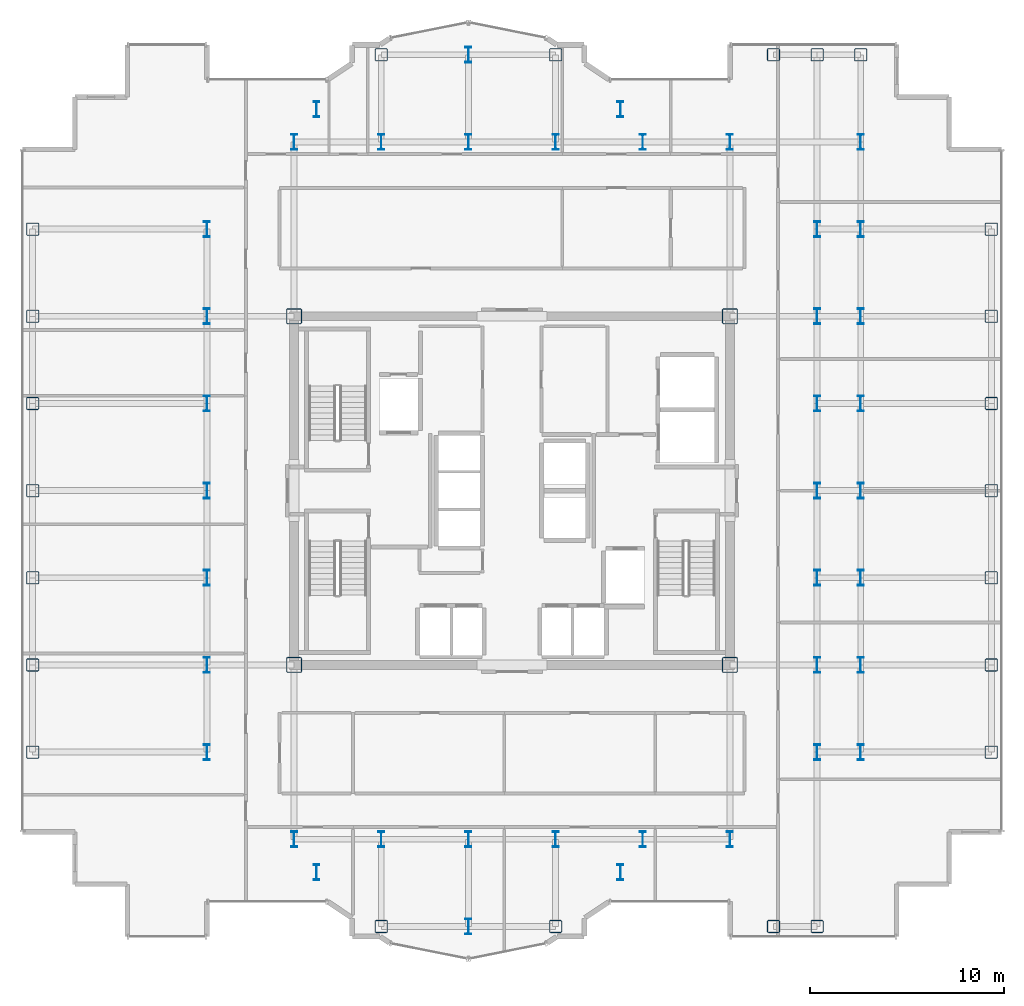
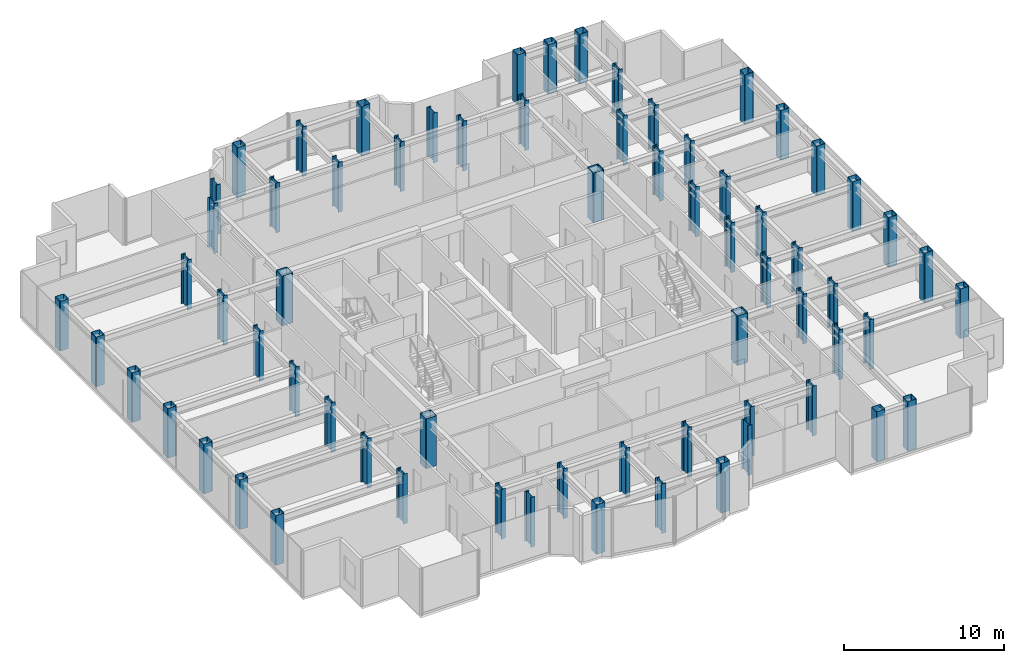
# One storey, part 1 of 20: 67 columns.
"""IFC4 building model written with IfcOpenShell, lengths in metres."""

from ifc_helpers import new_model, si_unit, direction, frame, origin, origin_2d, place, context, subcontext, project, spatial, hollow_rectangle, i_section, extrude, source, transform, mapped, material, material_profile, profile_set, type_object, element, save


model = new_model("IFC4")

# Units and contexts
model_context = context("Model", 3, precision=1e-05, world=origin(), true_north=direction((0.0, 1.0)))
body_context = subcontext(model_context, "Body", "Model", "MODEL_VIEW")
ifc_project = project(units=[si_unit("LENGTHUNIT", "METRE"), si_unit("AREAUNIT", "SQUARE_METRE"), si_unit("VOLUMEUNIT", "CUBIC_METRE"), si_unit("PLANEANGLEUNIT", "RADIAN"), si_unit("MASSUNIT", "GRAM", prefix="KILO")], contexts=[model_context])

# Site, building, storey
site_placement = place(None, origin())
site = spatial("IfcSite", under=ifc_project, at=site_placement, CompositionType="ELEMENT")
building_placement = place(site_placement, origin())
building = spatial("IfcBuilding", under=site, at=building_placement, Name="Nefas-Gora Pilgrimage Tower", CompositionType="ELEMENT")
storey_placement = place(building_placement, frame((0.0, 0.0, 214.199951171875)))
storey = spatial("IfcBuildingStorey", under=building, at=storey_placement, Name="L53", CompositionType="ELEMENT", Elevation=214.199951171875)

# Columns
ifc_material = material(Name="Steel S460", Category="steel")
ifc_material_profile_1 = material_profile(ifc_material, i_section(OverallWidth=0.302978515625, OverallDepth=0.81396484375, WebThickness=0.02099609375, FlangeThickness=0.0400390625, FilletRadius=0.030029296875, at=origin_2d()), Name="HEM 800")
ifc_profile_set_1 = profile_set([ifc_material_profile_1], Name="Steel S460")
column_type_1 = type_object("IfcColumnType", Name="COL-WEB-HEM800", PredefinedType="COLUMN", material=ifc_profile_set_1)
shared_shape_1 = source(origin(), body_context, "Body", "SweptSolid", [
    extrude(i_section(OverallWidth=0.302978515625, OverallDepth=0.81396484375, WebThickness=0.02099609375, FlangeThickness=0.0400390625, FilletRadius=0.030029296875, at=origin_2d()), origin(), (0.0, 0.0, 1.0), 3.800048828125),
])
for number, where, z_axis, x_axis, name in (
    (1, (-15.75, -13.5, 0.0), (0.0, 0.0, 1.0), (1.0, 0.0, 0.0), "L53 Tower Column CW-02.8"),
    (2, (-15.75, -9.0, 0.0), (0.0, 0.0, 1.0), (1.0, 0.0, 0.0), "L53 Tower Column CW-02.9"),
    (3, (-15.75, -4.5, 0.0), (0.0, 0.0, 1.0), (1.0, 0.0, 0.0), "L53 Tower Column CW-02.10"),
    (4, (-15.75, 0.0, 0.0), (0.0, 0.0, 1.0), (1.0, 0.0, 0.0), "L53 Tower Column CW-02.11"),
    (5, (-15.75, 4.5, 0.0), (0.0, 0.0, 1.0), (1.0, 0.0, 0.0), "L53 Tower Column CW-02.12"),
    (6, (-15.75, 9.0, 0.0), (0.0, 0.0, 1.0), (1.0, 0.0, 0.0), "L53 Tower Column CW-02.13"),
    (7, (-15.75, 13.5, 0.0), (0.0, 0.0, 1.0), (1.0, 0.0, 0.0), "L53 Tower Column CW-02.14"),
    (8, (-11.25, -18.0, 0.0), (0.0, 0.0, 1.0), (1.0, 0.0, 0.0), "L53 Tower Column CW-02.15"),
    (9, (-11.25, 18.0, 0.0), (0.0, 0.0, 1.0), (1.0, 0.0, 0.0), "L53 Tower Column CW-02.18"),
    (10, (-10.091064453125, -19.696044921875, 0.0), (0.0, 0.0, 1.0), (1.0, 0.0, 0.0), "L53 Tower Column CW-02.19"),
    (11, (-10.091064453125, 19.696044921875, 0.0), (0.0, 0.0, 1.0), (1.0, 0.0, 0.0), "L53 Tower Column CW-02.20"),
    (12, (-6.75, -18.0, 0.0), (0.0, 0.0, 1.0), (1.0, 0.0, 0.0), "L53 Tower Column CW-02.22"),
    (13, (-6.75, 18.0, 0.0), (0.0, 0.0, 1.0), (1.0, 0.0, 0.0), "L53 Tower Column CW-02.23"),
    (14, (-2.25, -22.5, 0.0), (0.0, 0.0, 1.0), (1.0, 0.0, 0.0), "L53 Tower Column CW-02.25"),
    (15, (-2.25, -18.0, 0.0), (0.0, 0.0, 1.0), (1.0, 0.0, 0.0), "L53 Tower Column CW-02.26"),
    (16, (-2.25, 18.0, 0.0), (0.0, 0.0, 1.0), (1.0, 0.0, 0.0), "L53 Tower Column CW-02.27"),
    (17, (-2.25, 22.5, 0.0), (0.0, 0.0, 1.0), (1.0, 0.0, 0.0), "L53 Tower Column CW-02.28"),
    (18, (2.25, -18.0, 0.0), (0.0, 0.0, 1.0), (1.0, 0.0, 0.0), "L53 Tower Column CW-02.30"),
    (19, (2.25, 18.0, 0.0), (0.0, 0.0, 1.0), (1.0, 0.0, 0.0), "L53 Tower Column CW-02.31"),
    (20, (5.591064453125, -19.696044921875, 0.0), (0.0, 0.0, 1.0), (1.0, 0.0, 0.0), "L53 Tower Column CW-02.33"),
    (21, (5.591064453125, 19.696044921875, 0.0), (0.0, 0.0, 1.0), (1.0, 0.0, 0.0), "L53 Tower Column CW-02.34"),
    (22, (6.75, -18.0, 0.0), (0.0, 0.0, 1.0), (1.0, 0.0, 0.0), "L53 Tower Column CW-02.35"),
    (23, (6.75, 18.0, 0.0), (0.0, 0.0, 1.0), (1.0, 0.0, 0.0), "L53 Tower Column CW-02.36"),
    (24, (11.25, -18.0, 0.0), (0.0, 0.0, 1.0), (1.0, 0.0, 0.0), "L53 Tower Column CW-02.37"),
    (25, (11.25, 18.0, 0.0), (0.0, 0.0, 1.0), (1.0, 0.0, 0.0), "L53 Tower Column CW-02.40"),
    (26, (15.75, -13.5, 0.0), (0.0, 0.0, 1.0), (1.0, 0.0, 0.0), "L53 Tower Column CW-02.44"),
    (27, (15.75, -9.0, 0.0), (0.0, 0.0, 1.0), (1.0, 0.0, 0.0), "L53 Tower Column CW-02.45"),
    (28, (15.75, -4.5, 0.0), (0.0, 0.0, 1.0), (1.0, 0.0, 0.0), "L53 Tower Column CW-02.46"),
    (29, (15.75, 0.0, 0.0), (0.0, 0.0, 1.0), (1.0, 0.0, 0.0), "L53 Tower Column CW-02.47"),
    (30, (15.75, 4.5, 0.0), (0.0, 0.0, 1.0), (1.0, 0.0, 0.0), "L53 Tower Column CW-02.48"),
    (31, (15.75, 9.0, 0.0), (0.0, 0.0, 1.0), (1.0, 0.0, 0.0), "L53 Tower Column CW-02.49"),
    (32, (15.75, 13.5, 0.0), (0.0, 0.0, 1.0), (1.0, 0.0, 0.0), "L53 Tower Column CW-02.50"),
    (33, (18.0, -13.5, 0.0), (0.0, 0.0, 1.0), (1.0, 0.0, 0.0), "L53 Tower Column CW-02.52"),
    (34, (18.0, -9.0, 0.0), (0.0, 0.0, 1.0), (1.0, 0.0, 0.0), "L53 Tower Column CW-02.53"),
    (35, (18.0, -4.5, 0.0), (0.0, 0.0, 1.0), (1.0, 0.0, 0.0), "L53 Tower Column CW-02.54"),
    (36, (18.0, 0.0, 0.0), (0.0, 0.0, 1.0), (1.0, 0.0, 0.0), "L53 Tower Column CW-02.55"),
    (37, (18.0, 4.5, 0.0), (0.0, 0.0, 1.0), (1.0, 0.0, 0.0), "L53 Tower Column CW-02.56"),
    (38, (18.0, 9.0, 0.0), (0.0, 0.0, 1.0), (1.0, 0.0, 0.0), "L53 Tower Column CW-02.57"),
    (39, (18.0, 13.5, 0.0), (0.0, 0.0, 1.0), (1.0, 0.0, 0.0), "L53 Tower Column CW-02.58"),
    (40, (18.0, 18.0, 0.0), (0.0, 0.0, 1.0), (1.0, 0.0, 0.0), "L53 Tower Column CW-02.59"),
):
    element("IfcColumn", number, at=place(storey_placement, frame(where, z_axis=z_axis, x_axis=x_axis)), inside=storey, type_object=column_type_1, Name=name, PredefinedType="COLUMN", context=body_context, shape_type="MappedRepresentation", body=[
        mapped(shared_shape_1, transform((0.0, 0.0, 0.0), x_axis=(1.0, 0.0, 0.0), y_axis=(0.0, 1.0, 0.0), z_axis=(0.0, 0.0, 1.0), scale=1.0)),
    ])
ifc_material_profile_2 = material_profile(ifc_material, hollow_rectangle(XDim=0.800048828125, YDim=0.800048828125, WallThickness=0.0400390625, InnerFilletRadius=0.0400390625, OuterFilletRadius=0.080078125, at=origin_2d()), Name="BOX 800x800x40")
ifc_profile_set_2 = profile_set([ifc_material_profile_2], Name="Steel S460")
column_type_2 = type_object("IfcColumnType", Name="COL-CORE-800", PredefinedType="COLUMN", material=ifc_profile_set_2)
shared_shape_2 = source(origin(), body_context, "Body", "SweptSolid", [
    extrude(hollow_rectangle(XDim=0.800048828125, YDim=0.800048828125, WallThickness=0.0400390625, InnerFilletRadius=0.0400390625, OuterFilletRadius=0.080078125, at=origin_2d()), origin(), (0.0, 0.0, 1.0), 3.800048828125),
])
for number, where, z_axis, x_axis, name in (
    (41, (-11.25, -9.0, 0.0), (0.0, 0.0, 1.0), (1.0, 0.0, 0.0), "L53 Tower Column CC-Z2.16"),
    (42, (-11.25, 9.0, 0.0), (0.0, 0.0, 1.0), (1.0, 0.0, 0.0), "L53 Tower Column CC-Z2.17"),
    (43, (11.25, -9.0, 0.0), (0.0, 0.0, 1.0), (1.0, 0.0, 0.0), "L53 Tower Column CC-Z2.38"),
    (44, (11.25, 9.0, 0.0), (0.0, 0.0, 1.0), (1.0, 0.0, 0.0), "L53 Tower Column CC-Z2.39"),
):
    element("IfcColumn", number, at=place(storey_placement, frame(where, z_axis=z_axis, x_axis=x_axis)), inside=storey, type_object=column_type_2, Name=name, PredefinedType="COLUMN", context=body_context, shape_type="MappedRepresentation", body=[
        mapped(shared_shape_2, transform((0.0, 0.0, 0.0), x_axis=(1.0, 0.0, 0.0), y_axis=(0.0, 1.0, 0.0), z_axis=(0.0, 0.0, 1.0), scale=1.0)),
    ])
ifc_material_profile_3 = material_profile(ifc_material, hollow_rectangle(XDim=0.64990234375, YDim=0.64990234375, WallThickness=0.031982421875, InnerFilletRadius=0.031982421875, OuterFilletRadius=0.06396484375, at=origin_2d()), Name="BOX 650x650x32")
ifc_profile_set_3 = profile_set([ifc_material_profile_3], Name="Steel S460")
column_type_3 = type_object("IfcColumnType", Name="COL-TUBE-650", PredefinedType="COLUMN", material=ifc_profile_set_3)
shared_shape_3 = source(origin(), body_context, "Body", "SweptSolid", [
    extrude(hollow_rectangle(XDim=0.64990234375, YDim=0.64990234375, WallThickness=0.031982421875, InnerFilletRadius=0.031982421875, OuterFilletRadius=0.06396484375, at=origin_2d()), origin(), (0.0, 0.0, 1.0), 3.800048828125),
])
for number, where, z_axis, x_axis, name in (
    (45, (-24.75, -13.5, 0.0), (0.0, 0.0, 1.0), (1.0, 0.0, 0.0), "L53 Tower Column C-Z3.1"),
    (46, (-24.75, -9.0, 0.0), (0.0, 0.0, 1.0), (1.0, 0.0, 0.0), "L53 Tower Column C-Z3.2"),
    (47, (-24.75, -4.5, 0.0), (0.0, 0.0, 1.0), (1.0, 0.0, 0.0), "L53 Tower Column C-Z3.3"),
    (48, (-24.75, 0.0, 0.0), (0.0, 0.0, 1.0), (1.0, 0.0, 0.0), "L53 Tower Column C-Z3.4"),
    (49, (-24.75, 4.5, 0.0), (0.0, 0.0, 1.0), (1.0, 0.0, 0.0), "L53 Tower Column C-Z3.5"),
    (50, (-24.75, 9.0, 0.0), (0.0, 0.0, 1.0), (1.0, 0.0, 0.0), "L53 Tower Column C-Z3.6"),
    (51, (-24.75, 13.5, 0.0), (0.0, 0.0, 1.0), (1.0, 0.0, 0.0), "L53 Tower Column C-Z3.7"),
    (52, (-6.75, -22.5, 0.0), (0.0, 0.0, 1.0), (1.0, 0.0, 0.0), "L53 Tower Column C-Z3.21"),
    (53, (-6.75, 22.5, 0.0), (0.0, 0.0, 1.0), (1.0, 0.0, 0.0), "L53 Tower Column C-Z3.24"),
    (54, (2.25, -22.5, 0.0), (0.0, 0.0, 1.0), (1.0, 0.0, 0.0), "L53 Tower Column C-Z3.29"),
    (55, (2.25, 22.5, 0.0), (0.0, 0.0, 1.0), (1.0, 0.0, 0.0), "L53 Tower Column C-Z3.32"),
    (56, (13.5, -22.5, 0.0), (0.0, 0.0, 1.0), (1.0, 0.0, 0.0), "L53 Tower Column C-Z3.41"),
    (57, (13.5, 22.5, 0.0), (0.0, 0.0, 1.0), (1.0, 0.0, 0.0), "L53 Tower Column C-Z3.42"),
    (58, (15.75, -22.5, 0.0), (0.0, 0.0, 1.0), (1.0, 0.0, 0.0), "L53 Tower Column C-Z3.43"),
    (59, (15.75, 22.5, 0.0), (0.0, 0.0, 1.0), (1.0, 0.0, 0.0), "L53 Tower Column C-Z3.51"),
    (60, (18.0, 22.5, 0.0), (0.0, 0.0, 1.0), (1.0, 0.0, 0.0), "L53 Tower Column C-Z3.60"),
    (61, (24.75, -13.5, 0.0), (0.0, 0.0, 1.0), (1.0, 0.0, 0.0), "L53 Tower Column C-Z3.61"),
    (62, (24.75, -9.0, 0.0), (0.0, 0.0, 1.0), (1.0, 0.0, 0.0), "L53 Tower Column C-Z3.62"),
    (63, (24.75, -4.5, 0.0), (0.0, 0.0, 1.0), (1.0, 0.0, 0.0), "L53 Tower Column C-Z3.63"),
    (64, (24.75, 0.0, 0.0), (0.0, 0.0, 1.0), (1.0, 0.0, 0.0), "L53 Tower Column C-Z3.64"),
    (65, (24.75, 4.5, 0.0), (0.0, 0.0, 1.0), (1.0, 0.0, 0.0), "L53 Tower Column C-Z3.65"),
    (66, (24.75, 9.0, 0.0), (0.0, 0.0, 1.0), (1.0, 0.0, 0.0), "L53 Tower Column C-Z3.66"),
    (67, (24.75, 13.5, 0.0), (0.0, 0.0, 1.0), (1.0, 0.0, 0.0), "L53 Tower Column C-Z3.67"),
):
    element("IfcColumn", number, at=place(storey_placement, frame(where, z_axis=z_axis, x_axis=x_axis)), inside=storey, type_object=column_type_3, Name=name, PredefinedType="COLUMN", context=body_context, shape_type="MappedRepresentation", body=[
        mapped(shared_shape_3, transform((0.0, 0.0, 0.0), x_axis=(1.0, 0.0, 0.0), y_axis=(0.0, 1.0, 0.0), z_axis=(0.0, 0.0, 1.0), scale=1.0)),
    ])

save(model, "model.ifc")
